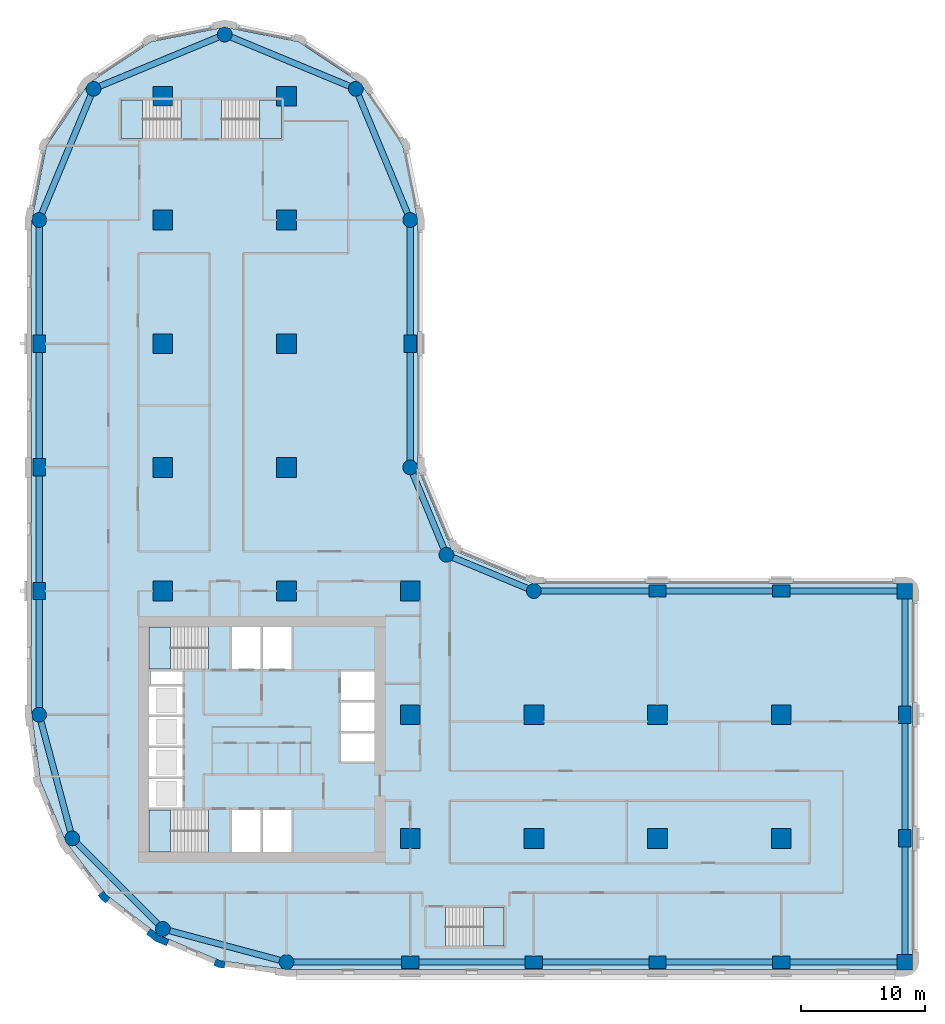
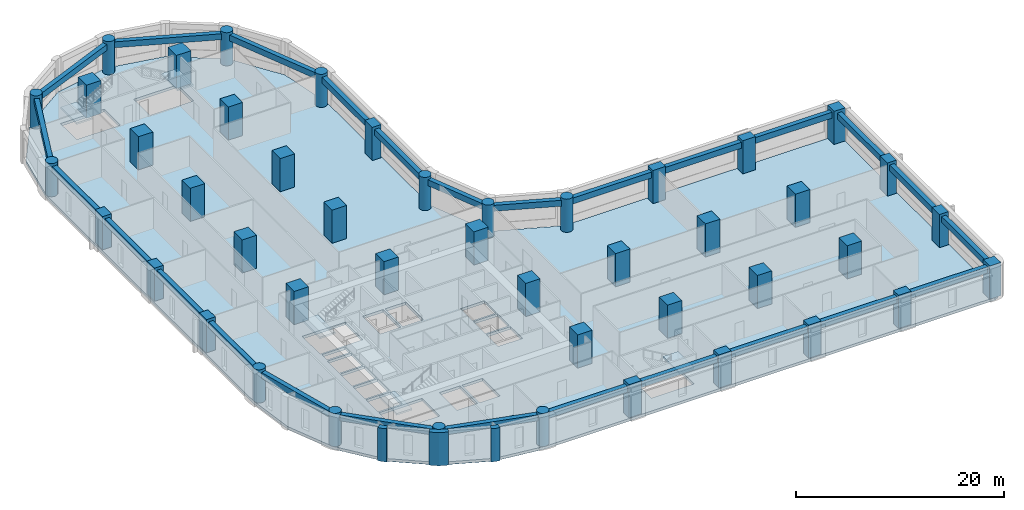
# One storey, part 1 of 11: 45 columns, 26 beams, 6 slabs, 3 walls, 5 elements without a shape of their own.
"""IFC4 building model written with IfcOpenShell, lengths in metres."""

import ifcopenshell
import ifcopenshell.guid

model = None  # the IFC model being written
_history = None  # IfcOwnerHistory: only IFC2X3 demands one
_inside = {}  # id of a spatial element -> (the spatial element, [elements in it])
_under = {}  # id of a project, library or spatial element -> (it, [spatial elements below it])
_declared = {}  # id of a project -> (the project, [libraries it declares])
_typed = {}  # id of a type object -> (the type object, [elements of that type])
_made_of = {}  # id of a material, layer set ... -> (it, [elements and type objects made of it])


def new_model(schema):
    """Start an empty IFC model of exactly this schema.

    Asked for "IFC4X3", IfcOpenShell would pick the latest addendum, in which some entities
    have other attributes; the version numbers below select the first issue.
    IFC2X3 requires an IfcOwnerHistory on every rooted entity: one is made here for all.
    """
    global model, _history
    if schema == "IFC4X3":
        model = ifcopenshell.file(schema_version=(4, 3, 0, 0))
    else:
        model = ifcopenshell.file(schema=schema)
    _inside.clear()
    _under.clear()
    _declared.clear()
    _typed.clear()
    _made_of.clear()
    _history = None
    if model.schema == "IFC2X3":
        org = make("IfcOrganization", Name="unknown")
        user = make(
            "IfcPersonAndOrganization",
            ThePerson=make("IfcPerson", FamilyName="unknown"),
            TheOrganization=org,
        )
        app = make(
            "IfcApplication",
            ApplicationDeveloper=org,
            Version="unknown",
            ApplicationFullName="unknown",
            ApplicationIdentifier="unknown",
        )
        _history = make(
            "IfcOwnerHistory",
            OwningUser=user,
            OwningApplication=app,
            ChangeAction="ADDED",
            CreationDate=0,
        )
    return model


def make(cls, **values):
    """One entity of the class cls with the attributes given. An attribute that is None is left unset."""
    return model.create_entity(
        cls, **{name: value for name, value in values.items() if value is not None}
    )


def rooted(cls, **values):
    """An entity with a GlobalId (a new one), such as an element, a storey or a relation."""
    return make(cls, GlobalId=ifcopenshell.guid.new(), OwnerHistory=_history, **values)


def si_unit(unit_type, name, prefix=None):
    """IfcSIUnit, for example si_unit("LENGTHUNIT", "METRE", prefix="MILLI")."""
    return make("IfcSIUnit", UnitType=unit_type, Prefix=prefix, Name=name)


def assignment(units):
    """IfcUnitAssignment: the units of a project."""
    return None if units is None else make("IfcUnitAssignment", Units=units)


def point(xyz):
    """IfcCartesianPoint."""
    return None if xyz is None else make("IfcCartesianPoint", Coordinates=xyz)


def direction(xyz):
    """IfcDirection."""
    return None if xyz is None else make("IfcDirection", DirectionRatios=xyz)


def frame(location, z_axis=None, x_axis=None):
    """IfcAxis2Placement3D, a coordinate frame: its origin and axes. An axis left out is left unset."""
    return make(
        "IfcAxis2Placement3D",
        Location=point(location),
        Axis=direction(z_axis),
        RefDirection=direction(x_axis),
    )


def frame_2d(location, x_axis=None):
    """IfcAxis2Placement2D, a coordinate frame in the plane: its origin and x axis."""
    return make(
        "IfcAxis2Placement2D", Location=point(location), RefDirection=direction(x_axis)
    )


def origin():
    """The frame at (0, 0, 0) with its axes left unset."""
    return frame((0.0, 0.0, 0.0))


def origin_2d():
    """The frame at (0, 0) in the plane with its x axis left unset."""
    return frame_2d((0.0, 0.0))


def place(relative_to, where):
    """IfcLocalPlacement: puts the frame where relative to a parent placement (None: the world)."""
    return make(
        "IfcLocalPlacement", PlacementRelTo=relative_to, RelativePlacement=where
    )


def context(
    kind, dimensions, precision=None, world=None, true_north=None, identifier=None
):
    """IfcGeometricRepresentationContext, for example the 3D "Model" context."""
    return make(
        "IfcGeometricRepresentationContext",
        ContextIdentifier=identifier,
        ContextType=kind,
        CoordinateSpaceDimension=dimensions,
        Precision=precision,
        WorldCoordinateSystem=world,
        TrueNorth=true_north,
    )


def subcontext(parent, identifier, kind, view, scale=None):
    """IfcGeometricRepresentationSubContext, for example "Body" below "Model"."""
    return make(
        "IfcGeometricRepresentationSubContext",
        ContextIdentifier=identifier,
        ContextType=kind,
        ParentContext=parent,
        TargetScale=scale,
        TargetView=view,
    )


def project(units=None, contexts=None):
    """IfcProject with its units and contexts."""
    return rooted(
        "IfcProject",
        Name="project",
        RepresentationContexts=contexts,
        UnitsInContext=assignment(units),
    )


def spatial(cls, under=None, at=None, **own):
    """A site, building, storey or space (cls), placed at a placement, below another one or the project."""
    s = rooted(cls, ObjectPlacement=at, **own)
    if under is not None:
        _under.setdefault(under.id(), (under, []))[1].append(s)
    return s


def polyline(points):
    """IfcPolyline through the points."""
    return make("IfcPolyline", Points=[point(p) for p in points])


def profile(cls, at=None, kind="AREA", **sizes):
    """A parametric profile (cls). Its sizes go by their IFC names, for example OverallWidth=200.0."""
    return make(cls, ProfileType=kind, Position=at, **sizes)


def rectangle(**sizes):
    """IfcRectangleProfileDef."""
    return profile("IfcRectangleProfileDef", **sizes)


def circle(**sizes):
    """IfcCircleProfileDef."""
    return profile("IfcCircleProfileDef", **sizes)


def outline(outer, holes=None, kind="AREA"):
    """IfcArbitraryClosedProfileDef: a profile drawn as a closed curve; with holes, ...WithVoids."""
    if holes is None:
        return make("IfcArbitraryClosedProfileDef", ProfileType=kind, OuterCurve=outer)
    return make(
        "IfcArbitraryProfileDefWithVoids",
        ProfileType=kind,
        OuterCurve=outer,
        InnerCurves=holes,
    )


def extrude(swept, where, along, depth):
    """IfcExtrudedAreaSolid: the profile swept, set in the frame where, extruded along a direction by depth."""
    return make(
        "IfcExtrudedAreaSolid",
        SweptArea=swept,
        Position=where,
        ExtrudedDirection=direction(along),
        Depth=depth,
    )


def shape(context_of_items, identifier, shape_type, items):
    """IfcShapeRepresentation: the items that make up one representation, for example the "Body"."""
    return make(
        "IfcShapeRepresentation",
        ContextOfItems=context_of_items,
        RepresentationIdentifier=identifier,
        RepresentationType=shape_type,
        Items=items,
    )


def material(Name=None, Category=None):
    """IfcMaterial."""
    return make("IfcMaterial", Name=Name, Category=Category)


def layer(
    of_material, thickness, ventilated=None, Name=None, Category=None, Priority=None
):
    """IfcMaterialLayer: one layer of a wall or slab, of a material (None: an air gap)."""
    return make(
        "IfcMaterialLayer",
        Material=of_material,
        LayerThickness=thickness,
        IsVentilated=ventilated,
        Name=Name,
        Category=Category,
        Priority=Priority,
    )


def layer_set(layers, Name=None):
    """IfcMaterialLayerSet."""
    return make("IfcMaterialLayerSet", MaterialLayers=layers, LayerSetName=Name)


def material_profile(
    of_material, cross_section, Name=None, Category=None, Priority=None
):
    """IfcMaterialProfile: a cross section and its material."""
    return make(
        "IfcMaterialProfile",
        Name=Name,
        Material=of_material,
        Profile=cross_section,
        Priority=Priority,
        Category=Category,
    )


def profile_set(profiles, Name=None, composite=None):
    """IfcMaterialProfileSet."""
    return make(
        "IfcMaterialProfileSet",
        Name=Name,
        MaterialProfiles=profiles,
        CompositeProfile=composite,
    )


def made_of(thing, what):
    """Note that an element or type object is made of a material, layer set ...; save() writes the relation."""
    if what is not None:
        _made_of.setdefault(what.id(), (what, []))[1].append(thing)
    return thing


def type_object(cls, material=None, **own):
    """A type object (cls), such as IfcWallType, which elements share."""
    return made_of(rooted(cls, **own), material)


def element(
    cls,
    number,
    at=None,
    inside=None,
    cuts=None,
    type_object=None,
    material=None,
    context=None,
    identifier="Body",
    shape_type=None,
    held_by="IfcProductDefinitionShape",
    body=None,
    shapes=None,
    **own,
):
    """One element of the class cls, such as IfcWall. Its Tag is "e" and its number.

    at: its placement. inside: the storey or other place that contains it. cuts: it is an
    opening in that element (IfcRelVoidsElement). A single representation is given by context,
    identifier, shape_type and body (its items); several are given by shapes. held_by: the class
    of the entity that holds the representations. save() writes the other relations.
    """
    e = rooted(cls, Tag="e%d" % number, ObjectPlacement=at, **own)
    if body is not None:
        shapes = [shape(context, identifier, shape_type, body)]
    if shapes is not None:
        e.Representation = make(held_by, Representations=shapes)
    if inside is not None:
        _inside.setdefault(inside.id(), (inside, []))[1].append(e)
    if cuts is not None:
        rooted(
            "IfcRelVoidsElement", RelatingBuildingElement=cuts, RelatedOpeningElement=e
        )
    if type_object is not None:
        _typed.setdefault(type_object.id(), (type_object, []))[1].append(e)
    return made_of(e, material)


def aggregate(whole, parts):
    """IfcRelAggregates: a whole, such as a stair, and the parts it consists of."""
    return rooted("IfcRelAggregates", RelatingObject=whole, RelatedObjects=parts)


def save(model, path):
    """Write the relations noted so far, then the file.

    IfcRelAggregates (storeys below a building ...), IfcRelContainedInSpatialStructure (elements
    in a storey), IfcRelDefinesByType, IfcRelAssociatesMaterial and IfcRelDeclares: one each for
    every whole, place, type object, material and project.
    """
    for whole, parts in _under.values():
        aggregate(whole, parts)
    for where, things in _inside.values():
        rooted(
            "IfcRelContainedInSpatialStructure",
            RelatedElements=things,
            RelatingStructure=where,
        )
    for kind, things in _typed.values():
        rooted("IfcRelDefinesByType", RelatedObjects=things, RelatingType=kind)
    for what, things in _made_of.values():
        rooted("IfcRelAssociatesMaterial", RelatedObjects=things, RelatingMaterial=what)
    for by, libraries in _declared.values():
        rooted("IfcRelDeclares", RelatingContext=by, RelatedDefinitions=libraries)
    model.write(path)


model = new_model("IFC4")

# Units and contexts
model_context = context("Model", 3, precision=1e-05, world=origin(), true_north=direction((0.0, 1.0)))
body_context = subcontext(model_context, "Body", "Model", "MODEL_VIEW")
ifc_project = project(units=[si_unit("LENGTHUNIT", "METRE"), si_unit("AREAUNIT", "SQUARE_METRE"), si_unit("VOLUMEUNIT", "CUBIC_METRE"), si_unit("PLANEANGLEUNIT", "RADIAN"), si_unit("MASSUNIT", "GRAM", prefix="KILO")], contexts=[model_context])

# Site, building, storey
site_placement = place(None, origin())
site = spatial("IfcSite", under=ifc_project, at=site_placement, CompositionType="ELEMENT")
building_placement = place(site_placement, origin())
building = spatial("IfcBuilding", under=site, at=building_placement, Name="Qaws Garden Tower", CompositionType="ELEMENT")
storey_placement = place(building_placement, frame((0.0, 0.0, 27.60009765625)))
storey = spatial("IfcBuildingStorey", under=building, at=storey_placement, Name="L06", CompositionType="ELEMENT", Elevation=27.60009765625)

# Columns
ifc_material_1 = material(Name="Concrete C80", Category="concrete")
ifc_material_profile_1 = material_profile(ifc_material_1, rectangle(XDim=1.25, YDim=1.25, at=origin_2d()), Name="RC 1250x1250")
ifc_profile_set_1 = profile_set([ifc_material_profile_1], Name="Concrete C80")
column_type_1 = type_object("IfcColumnType", Name="Column RC 1250x1250 C80", PredefinedType="COLUMN", material=ifc_profile_set_1)
for number, where, z_axis, x_axis, name in (
    (1, (70.0, 0.0, 0.0), (0.0, 0.0, 1.0), (1.0, 0.0, 0.0), "Column L06-006"),
    (2, (70.0, 30.0, 0.0), (0.0, 0.0, 1.0), (1.0, 0.0, 0.0), "Column L06-009"),
):
    element("IfcColumn", number, at=place(storey_placement, frame(where, z_axis=z_axis, x_axis=x_axis)), inside=storey, type_object=column_type_1, Name=name, PredefinedType="COLUMN", context=body_context, shape_type="SweptSolid", body=[
        extrude(rectangle(XDim=1.25, YDim=1.25, at=origin_2d()), origin(), (0.0, 0.0, 1.0), 3.89990234375),
    ])
ifc_material_2 = material(Name="Concrete C80", Category="concrete")
ifc_material_profile_2 = material_profile(ifc_material_2, rectangle(XDim=1.39990234375, YDim=1.0, at=origin_2d()), Name="RC 1400x1000")
ifc_profile_set_2 = profile_set([ifc_material_profile_2], Name="Concrete C80")
column_type_2 = type_object("IfcColumnType", Name="Column RC 1400x1000 C80", PredefinedType="COLUMN", material=ifc_profile_set_2)
for number, where, z_axis, x_axis, name in (
    (3, (30.0, 0.0, 0.0), (0.0, 0.0, 1.0), (1.0, 0.0, 0.0), "Column L06-002"),
    (4, (40.0, 0.0, 0.0), (0.0, 0.0, 1.0), (1.0, 0.0, 0.0), "Column L06-003"),
    (5, (50.0, 0.0, 0.0), (0.0, 0.0, 1.0), (1.0, 0.0, 0.0), "Column L06-004"),
    (6, (60.0, 0.0, 0.0), (0.0, 0.0, 1.0), (1.0, 0.0, 0.0), "Column L06-005"),
    (7, (70.0, 10.0, 0.0), (0.0, 0.0, 1.0), (0.0, 1.0, 0.0), "Column L06-007"),
    (8, (70.0, 20.0, 0.0), (0.0, 0.0, 1.0), (0.0, 1.0, 0.0), "Column L06-008"),
    (9, (60.0, 30.0, 0.0), (0.0, 0.0, 1.0), (1.0, 0.0, 0.0), "Column L06-010"),
    (10, (50.0, 30.0, 0.0), (0.0, 0.0, 1.0), (1.0, 0.0, 0.0), "Column L06-011"),
    (11, (30.0, 50.0, 0.0), (0.0, 0.0, 1.0), (0.0, 1.0, 0.0), "Column L06-015"),
    (12, (0.0, 50.0, 0.0), (0.0, 0.0, 1.0), (0.0, 1.0, 0.0), "Column L06-021"),
    (13, (0.0, 40.0, 0.0), (0.0, 0.0, 1.0), (0.0, 1.0, 0.0), "Column L06-022"),
    (14, (0.0, 30.0, 0.0), (0.0, 0.0, 1.0), (0.0, 1.0, 0.0), "Column L06-023"),
):
    element("IfcColumn", number, at=place(storey_placement, frame(where, z_axis=z_axis, x_axis=x_axis)), inside=storey, type_object=column_type_2, Name=name, PredefinedType="COLUMN", context=body_context, shape_type="SweptSolid", body=[
        extrude(rectangle(XDim=1.39990234375, YDim=1.0, at=origin_2d()), origin(), (0.0, 0.0, 1.0), 3.89990234375),
    ])
ifc_material_3 = material(Name="Concrete C80", Category="concrete")
ifc_material_profile_3 = material_profile(ifc_material_3, rectangle(XDim=1.60009765625, YDim=1.60009765625, at=origin_2d()), Name="RC 1600x1600")
ifc_profile_set_3 = profile_set([ifc_material_profile_3], Name="Concrete C80")
column_type_3 = type_object("IfcColumnType", Name="Column RC 1600x1600 C80", PredefinedType="COLUMN", material=ifc_profile_set_3)
for number, where, z_axis, x_axis, name in (
    (15, (10.0, 30.0, 0.0), (0.0, 0.0, 1.0), (1.0, 0.0, 0.0), "Column L06-027"),
    (16, (10.0, 40.0, 0.0), (0.0, 0.0, 1.0), (1.0, 0.0, 0.0), "Column L06-028"),
    (17, (10.0, 50.0, 0.0), (0.0, 0.0, 1.0), (1.0, 0.0, 0.0), "Column L06-029"),
    (18, (10.0, 60.0, 0.0), (0.0, 0.0, 1.0), (1.0, 0.0, 0.0), "Column L06-030"),
    (19, (10.0, 70.0, 0.0), (0.0, 0.0, 1.0), (1.0, 0.0, 0.0), "Column L06-031"),
    (20, (20.0, 30.0, 0.0), (0.0, 0.0, 1.0), (1.0, 0.0, 0.0), "Column L06-032"),
    (21, (20.0, 40.0, 0.0), (0.0, 0.0, 1.0), (1.0, 0.0, 0.0), "Column L06-033"),
    (22, (20.0, 50.0, 0.0), (0.0, 0.0, 1.0), (1.0, 0.0, 0.0), "Column L06-034"),
    (23, (20.0, 60.0, 0.0), (0.0, 0.0, 1.0), (1.0, 0.0, 0.0), "Column L06-035"),
    (24, (20.0, 70.0, 0.0), (0.0, 0.0, 1.0), (1.0, 0.0, 0.0), "Column L06-036"),
    (25, (30.0, 10.0, 0.0), (0.0, 0.0, 1.0), (1.0, 0.0, 0.0), "Column L06-037"),
    (26, (30.0, 20.0, 0.0), (0.0, 0.0, 1.0), (1.0, 0.0, 0.0), "Column L06-038"),
    (27, (30.0, 30.0, 0.0), (0.0, 0.0, 1.0), (1.0, 0.0, 0.0), "Column L06-039"),
    (28, (40.0, 10.0, 0.0), (0.0, 0.0, 1.0), (1.0, 0.0, 0.0), "Column L06-040"),
    (29, (40.0, 20.0, 0.0), (0.0, 0.0, 1.0), (1.0, 0.0, 0.0), "Column L06-041"),
    (30, (50.0, 10.0, 0.0), (0.0, 0.0, 1.0), (1.0, 0.0, 0.0), "Column L06-042"),
    (31, (50.0, 20.0, 0.0), (0.0, 0.0, 1.0), (1.0, 0.0, 0.0), "Column L06-043"),
    (32, (60.0, 10.0, 0.0), (0.0, 0.0, 1.0), (1.0, 0.0, 0.0), "Column L06-044"),
    (33, (60.0, 20.0, 0.0), (0.0, 0.0, 1.0), (1.0, 0.0, 0.0), "Column L06-045"),
):
    element("IfcColumn", number, at=place(storey_placement, frame(where, z_axis=z_axis, x_axis=x_axis)), inside=storey, type_object=column_type_3, Name=name, PredefinedType="COLUMN", context=body_context, shape_type="SweptSolid", body=[
        extrude(rectangle(XDim=1.60009765625, YDim=1.60009765625, at=origin_2d()), origin(), (0.0, 0.0, 1.0), 3.89990234375),
    ])
ifc_material_4 = material(Name="Concrete C80", Category="concrete")
ifc_material_profile_4 = material_profile(ifc_material_4, circle(Radius=0.60009765625, at=origin_2d()), Name="RC D1200")
ifc_profile_set_4 = profile_set([ifc_material_profile_4], Name="Concrete C80")
column_type_4 = type_object("IfcColumnType", Name="Column RC D1200 C80", PredefinedType="COLUMN", material=ifc_profile_set_4)
for number, where, z_axis, x_axis, name in (
    (34, (20.0, 0.0, 0.0), (0.0, 0.0, 1.0), (1.0, 0.0, 0.0), "Column L06-001"),
    (35, (40.0, 30.0, 0.0), (0.0, 0.0, 1.0), (1.0, 0.0, 0.0), "Column L06-012"),
    (36, (32.928955078125, 32.928955078125, 0.0), (0.0, 0.0, 1.0), (1.0, 0.0, 0.0), "Column L06-013"),
    (37, (30.0, 40.0, 0.0), (0.0, 0.0, 1.0), (1.0, 0.0, 0.0), "Column L06-014"),
    (38, (30.0, 60.0, 0.0), (0.0, 0.0, 1.0), (1.0, 0.0, 0.0), "Column L06-016"),
    (39, (25.606689453125, 70.606689453125, 0.0), (0.0, 0.0, 1.0), (1.0, 0.0, 0.0), "Column L06-017"),
    (40, (15.0, 75.0, 0.0), (0.0, 0.0, 1.0), (1.0, 0.0, 0.0), "Column L06-018"),
    (41, (4.393310546875, 70.606689453125, 0.0), (0.0, 0.0, 1.0), (1.0, 0.0, 0.0), "Column L06-019"),
    (42, (0.0, 60.0, 0.0), (0.0, 0.0, 1.0), (1.0, 0.0, 0.0), "Column L06-020"),
    (43, (0.0, 20.0, 0.0), (0.0, 0.0, 1.0), (1.0, 0.0, 0.0), "Column L06-024"),
    (44, (2.679443359375, 10.0, 0.0), (0.0, 0.0, 1.0), (1.0, 0.0, 0.0), "Column L06-025"),
    (45, (10.0, 2.679443359375, 0.0), (0.0, 0.0, 1.0), (1.0, 0.0, 0.0), "Column L06-026"),
):
    element("IfcColumn", number, at=place(storey_placement, frame(where, z_axis=z_axis, x_axis=x_axis)), inside=storey, type_object=column_type_4, Name=name, PredefinedType="COLUMN", context=body_context, shape_type="SweptSolid", body=[
        extrude(circle(Radius=0.60009765625, at=origin_2d()), origin(), (0.0, 0.0, 1.0), 3.89990234375),
    ])

# Beams
ifc_material_5 = material(Name="Concrete C45", Category="concrete")
ifc_material_profile_5 = material_profile(ifc_material_5, rectangle(XDim=0.5, YDim=0.699951171875, at=origin_2d()), Name="RC 500x700")
ifc_profile_set_5 = profile_set([ifc_material_profile_5], Name="Concrete C45")
beam_type = type_object("IfcBeamType", Name="Spandrel beam RC 500x700 C45", PredefinedType="SPANDREL", material=ifc_profile_set_5)
for number, where, z_axis, x_axis, name in (
    (46, (20.0, 0.0, 3.22998046875), (1.0, 0.0, 0.0), (0.0, 1.0, 0.0), "Spandrel beam L06-001"),
    (47, (30.0, 0.0, 3.22998046875), (1.0, 0.0, 0.0), (0.0, 1.0, 0.0), "Spandrel beam L06-002"),
    (48, (40.0, 0.0, 3.22998046875), (1.0, 0.0, 0.0), (0.0, 1.0, 0.0), "Spandrel beam L06-003"),
    (49, (50.0, 0.0, 3.22998046875), (1.0, 0.0, 0.0), (0.0, 1.0, 0.0), "Spandrel beam L06-004"),
    (50, (60.0, 0.0, 3.22998046875), (1.0, 0.0, 0.0), (0.0, 1.0, 0.0), "Spandrel beam L06-005"),
    (51, (70.0, 0.0, 3.22998046875), (0.0, 1.0, 0.0), (-1.0, 0.0, 0.0), "Spandrel beam L06-006"),
    (52, (70.0, 10.0, 3.22998046875), (0.0, 1.0, 0.0), (-1.0, 0.0, 0.0), "Spandrel beam L06-007"),
    (53, (70.0, 20.0, 3.22998046875), (0.0, 1.0, 0.0), (-1.0, 0.0, 0.0), "Spandrel beam L06-008"),
    (54, (70.0, 30.0, 3.22998046875), (-1.0, 0.0, 0.0), (0.0, -1.0, 0.0), "Spandrel beam L06-009"),
    (55, (60.0, 30.0, 3.22998046875), (-1.0, 0.0, 0.0), (0.0, -1.0, 0.0), "Spandrel beam L06-010"),
    (56, (50.0, 30.0, 3.22998046875), (-1.0, 0.0, 0.0), (0.0, -1.0, 0.0), "Spandrel beam L06-011"),
):
    element("IfcBeam", number, at=place(storey_placement, frame(where, z_axis=z_axis, x_axis=x_axis)), inside=storey, type_object=beam_type, Name=name, PredefinedType="SPANDREL", context=body_context, shape_type="SweptSolid", body=[
        extrude(rectangle(XDim=0.5, YDim=0.699951171875, at=origin_2d()), origin(), (0.0, 0.0, 1.0), 10.0),
    ])
for number, where, z_axis, x_axis, name in (
    (57, (40.0, 30.0, 3.22998046875), (-0.923878037141, 0.382687042488, 0.0), (-0.382687042488, -0.923878037141, 0.0), "Spandrel beam L06-012"),
    (58, (32.928955078125, 32.928955078125, 3.22998046875), (-0.382687042488, 0.923878037141, 0.0), (-0.923878037141, -0.382687042488, 0.0), "Spandrel beam L06-013"),
):
    element("IfcBeam", number, at=place(storey_placement, frame(where, z_axis=z_axis, x_axis=x_axis)), inside=storey, type_object=beam_type, Name=name, PredefinedType="SPANDREL", context=body_context, shape_type="SweptSolid", body=[
        extrude(rectangle(XDim=0.5, YDim=0.699951171875, at=origin_2d()), origin(), (0.0, 0.0, 1.0), 7.653564453125),
    ])
for number, where, z_axis, x_axis, name in (
    (59, (30.0, 40.0, 3.22998046875), (0.0, 1.0, 0.0), (-1.0, 0.0, 0.0), "Spandrel beam L06-014"),
    (60, (30.0, 50.0, 3.22998046875), (0.0, 1.0, 0.0), (-1.0, 0.0, 0.0), "Spandrel beam L06-015"),
):
    element("IfcBeam", number, at=place(storey_placement, frame(where, z_axis=z_axis, x_axis=x_axis)), inside=storey, type_object=beam_type, Name=name, PredefinedType="SPANDREL", context=body_context, shape_type="SweptSolid", body=[
        extrude(rectangle(XDim=0.5, YDim=0.699951171875, at=origin_2d()), origin(), (0.0, 0.0, 1.0), 10.0),
    ])
for number, where, z_axis, x_axis, name in (
    (61, (30.0, 60.0, 3.22998046875), (-0.382674207535, 0.923883353507, 0.0), (-0.923883353507, -0.382674207535, 0.0), "Spandrel beam L06-016"),
    (62, (25.606689453125, 70.606689453125, 3.22998046875), (-0.923883353507, 0.382674207535, 0.0), (-0.382674207535, -0.923883353507, 0.0), "Spandrel beam L06-017"),
    (63, (15.0, 75.0, 3.22998046875), (-0.923883353507, -0.382674207535, 0.0), (0.382674207535, -0.923883353507, 0.0), "Spandrel beam L06-018"),
    (64, (4.393310546875, 70.606689453125, 3.22998046875), (-0.382674207535, -0.923883353507, 0.0), (0.923883353507, -0.382674207535, 0.0), "Spandrel beam L06-019"),
):
    element("IfcBeam", number, at=place(storey_placement, frame(where, z_axis=z_axis, x_axis=x_axis)), inside=storey, type_object=beam_type, Name=name, PredefinedType="SPANDREL", context=body_context, shape_type="SweptSolid", body=[
        extrude(rectangle(XDim=0.5, YDim=0.699951171875, at=origin_2d()), origin(), (0.0, 0.0, 1.0), 11.48046875),
    ])
for number, where, z_axis, x_axis, name in (
    (65, (0.0, 60.0, 3.22998046875), (0.0, -1.0, 0.0), (1.0, 0.0, 0.0), "Spandrel beam L06-020"),
    (66, (0.0, 50.0, 3.22998046875), (0.0, -1.0, 0.0), (1.0, 0.0, 0.0), "Spandrel beam L06-021"),
    (67, (0.0, 40.0, 3.22998046875), (0.0, -1.0, 0.0), (1.0, 0.0, 0.0), "Spandrel beam L06-022"),
    (68, (0.0, 30.0, 3.22998046875), (0.0, -1.0, 0.0), (1.0, 0.0, 0.0), "Spandrel beam L06-023"),
):
    element("IfcBeam", number, at=place(storey_placement, frame(where, z_axis=z_axis, x_axis=x_axis)), inside=storey, type_object=beam_type, Name=name, PredefinedType="SPANDREL", context=body_context, shape_type="SweptSolid", body=[
        extrude(rectangle(XDim=0.5, YDim=0.699951171875, at=origin_2d()), origin(), (0.0, 0.0, 1.0), 10.0),
    ])
for number, where, z_axis, x_axis, name in (
    (69, (0.0, 20.0, 3.22998046875), (0.25881466832, -0.965926999034, 0.0), (0.965926999034, 0.25881466832, 0.0), "Spandrel beam L06-024"),
    (70, (2.679443359375, 10.0, 3.22998046875), (0.707106781187, -0.707106781187, 0.0), (0.707106781187, 0.707106781187, 0.0), "Spandrel beam L06-025"),
    (71, (10.0, 2.679443359375, 3.22998046875), (0.965926999034, -0.25881466832, 0.0), (0.25881466832, 0.965926999034, 0.0), "Spandrel beam L06-026"),
):
    element("IfcBeam", number, at=place(storey_placement, frame(where, z_axis=z_axis, x_axis=x_axis)), inside=storey, type_object=beam_type, Name=name, PredefinedType="SPANDREL", context=body_context, shape_type="SweptSolid", body=[
        extrude(rectangle(XDim=0.5, YDim=0.699951171875, at=origin_2d()), origin(), (0.0, 0.0, 1.0), 10.352783203125),
    ])

# Slab
ifc_material_6 = material(Name="Concrete C40", Category="concrete")
ifc_layer_1 = layer(ifc_material_6, 0.320068359375)
ifc_layer_set_1 = layer_set([ifc_layer_1], Name="Concrete C40")
slab_type_1 = type_object("IfcSlabType", Name="Floor slab 320 C40", PredefinedType="FLOOR", material=ifc_layer_set_1)
slab_1_placement = place(storey_placement, frame((0.0, 0.0, -0.320068359375)))
element("IfcSlab", 72, at=slab_1_placement, inside=storey, type_object=slab_type_1, Name="Floor slab L06", PredefinedType="FLOOR", context=body_context, shape_type="SweptSolid", body=[
    extrude(outline(polyline([(0.101806640625, 14.668212890625), (-0.60009765625, 20.0), (-0.60009765625, 30.60009765625), (-0.60009765625, 60.0), (-0.60009765625, 60.0), (0.58740234375, 65.969970703125), (3.968994140625, 71.031005859375), (9.030029296875, 74.41259765625), (15.0, 75.60009765625), (20.969970703125, 74.41259765625), (26.031005859375, 71.031005859375), (29.41259765625, 65.969970703125), (30.60009765625, 60.0), (30.60009765625, 40.0), (33.353271484375, 33.353271484375), (40.0, 30.60009765625), (70.0, 30.60009765625), (70.42431640625, 30.42431640625), (70.60009765625, 30.0), (70.60009765625, 0.0), (70.42431640625, -0.42431640625), (70.0, -0.60009765625), (30.60009765625, -0.60009765625), (20.0, -0.60009765625), (14.668212890625, 0.101806640625), (9.699951171875, 2.159912109375), (5.43359375, 5.43359375), (2.159912109375, 9.699951171875), (0.101806640625, 14.668212890625)]), holes=[polyline([(13.699462890625, 12.300048828125), (8.89990234375, 12.300048828125), (8.89990234375, 8.89990234375), (13.699462890625, 8.89990234375), (13.699462890625, 12.300048828125)]), polyline([(17.89990234375, 12.300048828125), (15.60009765625, 12.300048828125), (15.60009765625, 8.89990234375), (17.89990234375, 8.89990234375), (17.89990234375, 12.300048828125)]), polyline([(11.60009765625, 14.800048828125), (8.89990234375, 14.800048828125), (8.89990234375, 12.5), (11.60009765625, 12.5), (11.60009765625, 14.800048828125)]), polyline([(11.60009765625, 17.300048828125), (8.89990234375, 17.300048828125), (8.89990234375, 15.0), (11.60009765625, 15.0), (11.60009765625, 17.300048828125)]), polyline([(11.60009765625, 19.800048828125), (8.89990234375, 19.800048828125), (8.89990234375, 17.5), (11.60009765625, 17.5), (11.60009765625, 19.800048828125)]), polyline([(11.60009765625, 22.300048828125), (8.89990234375, 22.300048828125), (8.89990234375, 20.0), (11.60009765625, 20.0), (11.60009765625, 22.300048828125)]), polyline([(11.60009765625, 23.5), (9.0, 23.5), (9.0, 22.5), (11.60009765625, 22.5), (11.60009765625, 23.5)]), polyline([(13.699462890625, 27.10009765625), (8.89990234375, 27.10009765625), (8.89990234375, 23.699951171875), (13.699462890625, 23.699951171875), (13.699462890625, 27.10009765625)]), polyline([(11.449462890625, 69.699951171875), (6.60009765625, 69.699951171875), (6.60009765625, 66.60009765625), (11.449462890625, 66.60009765625), (11.449462890625, 69.699951171875)]), polyline([(37.60009765625, 4.39990234375), (32.8505859375, 4.39990234375), (32.8505859375, 1.300048828125), (37.60009765625, 1.300048828125), (37.60009765625, 4.39990234375)]), polyline([(20.39990234375, 12.300048828125), (18.10009765625, 12.300048828125), (18.10009765625, 8.89990234375), (20.39990234375, 8.89990234375), (20.39990234375, 12.300048828125)]), polyline([(27.10009765625, 18.5), (24.39990234375, 18.5), (24.39990234375, 16.199951171875), (27.10009765625, 16.199951171875), (27.10009765625, 18.5)]), polyline([(27.10009765625, 21.0), (24.39990234375, 21.0), (24.39990234375, 18.699951171875), (27.10009765625, 18.699951171875), (27.10009765625, 21.0)]), polyline([(27.10009765625, 23.5), (24.39990234375, 23.5), (24.39990234375, 21.199951171875), (27.10009765625, 21.199951171875), (27.10009765625, 23.5)]), polyline([(17.89990234375, 27.10009765625), (15.60009765625, 27.10009765625), (15.60009765625, 23.699951171875), (17.89990234375, 23.699951171875), (17.89990234375, 27.10009765625)]), polyline([(20.39990234375, 23.699951171875), (20.39990234375, 27.10009765625), (18.10009765625, 27.10009765625), (18.10009765625, 23.699951171875), (20.39990234375, 23.699951171875)]), polyline([(19.60009765625, 66.60009765625), (19.60009765625, 69.699951171875), (14.75048828125, 69.699951171875), (14.75048828125, 66.60009765625), (19.60009765625, 66.60009765625)])]), origin(), (0.0, 0.0, 1.0), 0.320068359375),
])

# Stair, slab
ifc_material_7 = material(Name="Concrete C40", Category="concrete")
stair_type_1 = type_object("IfcStairType", Name="Exit stair 1500", PredefinedType="HALF_TURN_STAIR", material=ifc_material_7)
placement_1 = place(storey_placement, origin())
stair_1 = element("IfcStair", 73, at=placement_1, inside=storey, type_object=stair_type_1, Name="Stair 1", PredefinedType="HALF_TURN_STAIR")
ifc_material_8 = material(Name="Concrete C40", Category="concrete")
ifc_layer_2 = layer(ifc_material_8, 0.199951171875)
ifc_layer_set_2 = layer_set([ifc_layer_2], Name="Concrete C40")
slab_type_2 = type_object("IfcSlabType", Name="Stair landing 200", PredefinedType="LANDING", material=ifc_layer_set_2)
placement_2 = place(storey_placement, frame((0.0, 0.0, 1.75)))
slab_2 = element("IfcSlab", 74, at=placement_2, type_object=slab_type_2, Name="ST1 landing 1", PredefinedType="LANDING", context=body_context, shape_type="SweptSolid", body=[
    extrude(outline(polyline([(8.89990234375, 8.89990234375), (10.6201171875, 8.89990234375), (10.6201171875, 12.300048828125), (8.89990234375, 12.300048828125), (8.89990234375, 8.89990234375)])), origin(), (0.0, 0.0, 1.0), 0.199951171875),
])
aggregate(stair_1, [slab_2])

stair_2 = element("IfcStair", 75, at=placement_1, inside=storey, type_object=stair_type_1, Name="Stair 4", PredefinedType="HALF_TURN_STAIR")
slab_3 = element("IfcSlab", 76, at=placement_2, type_object=slab_type_2, Name="ST4 landing 1", PredefinedType="LANDING", context=body_context, shape_type="SweptSolid", body=[
    extrude(outline(polyline([(8.89990234375, 23.699951171875), (10.6201171875, 23.699951171875), (10.6201171875, 27.10009765625), (8.89990234375, 27.10009765625), (8.89990234375, 23.699951171875)])), origin(), (0.0, 0.0, 1.0), 0.199951171875),
])
aggregate(stair_2, [slab_3])

ifc_material_9 = material(Name="Concrete C40", Category="concrete")
stair_type_2 = type_object("IfcStairType", Name="Exit stair 1350", PredefinedType="HALF_TURN_STAIR", material=ifc_material_9)
stair_3 = element("IfcStair", 77, at=placement_1, inside=storey, type_object=stair_type_2, Name="Stair 5", PredefinedType="HALF_TURN_STAIR")
slab_4 = element("IfcSlab", 78, at=placement_2, type_object=slab_type_2, Name="ST5 landing 1", PredefinedType="LANDING", context=body_context, shape_type="SweptSolid", body=[
    extrude(outline(polyline([(35.929931640625, 1.300048828125), (37.60009765625, 1.300048828125), (37.60009765625, 4.39990234375), (35.929931640625, 4.39990234375), (35.929931640625, 1.300048828125)])), origin(), (0.0, 0.0, 1.0), 0.199951171875),
])
aggregate(stair_3, [slab_4])

stair_4 = element("IfcStair", 79, at=placement_1, inside=storey, type_object=stair_type_2, Name="Stair 6", PredefinedType="HALF_TURN_STAIR")
slab_5 = element("IfcSlab", 80, at=placement_2, type_object=slab_type_2, Name="ST6 landing 1", PredefinedType="LANDING", context=body_context, shape_type="SweptSolid", body=[
    extrude(outline(polyline([(6.60009765625, 66.60009765625), (8.3701171875, 66.60009765625), (8.3701171875, 69.699951171875), (6.60009765625, 69.699951171875), (6.60009765625, 66.60009765625)])), origin(), (0.0, 0.0, 1.0), 0.199951171875),
])
aggregate(stair_4, [slab_5])

stair_5 = element("IfcStair", 81, at=placement_1, inside=storey, type_object=stair_type_2, Name="Stair 7", PredefinedType="HALF_TURN_STAIR")
slab_6 = element("IfcSlab", 82, at=placement_2, type_object=slab_type_2, Name="ST7 landing 1", PredefinedType="LANDING", context=body_context, shape_type="SweptSolid", body=[
    extrude(outline(polyline([(17.830078125, 66.60009765625), (19.60009765625, 66.60009765625), (19.60009765625, 69.699951171875), (17.830078125, 69.699951171875), (17.830078125, 66.60009765625)])), origin(), (0.0, 0.0, 1.0), 0.199951171875),
])
aggregate(stair_5, [slab_6])

# Walls
ifc_material_10 = material(Name="Clay facing brick masonry", Category="masonry")
ifc_layer_3 = layer(ifc_material_10, 0.550048828125)
ifc_layer_set_3 = layer_set([ifc_layer_3], Name="Clay facing brick masonry")
wall_type_1 = type_object("IfcWallType", Name="Brick kink pier 550 x 600", PredefinedType="SOLIDWALL", material=ifc_layer_set_3)
element("IfcWall", 83, at=placement_1, inside=storey, type_object=wall_type_1, Name="E-L06-pier-30", PredefinedType="SOLIDWALL", context=body_context, shape_type="SweptSolid", body=[
    extrude(outline(polyline([(4.8818359375, 5.487060546875), (4.762939453125, 5.395751953125), (5.03759765625, 5.03759765625), (5.395751953125, 4.762939453125), (5.487060546875, 4.8818359375), (5.730712890625, 5.19921875), (5.429931640625, 5.429931640625), (5.19921875, 5.730712890625), (4.8818359375, 5.487060546875)])), origin(), (0.0, 0.0, 1.0), 3.89990234375),
])
element("IfcWall", 84, at=placement_1, inside=storey, type_object=wall_type_1, Name="E-L06-pier-32", PredefinedType="SOLIDWALL", context=body_context, shape_type="SweptSolid", body=[
    extrude(outline(polyline([(14.163818359375, -0.127685546875), (14.1064453125, -0.26611328125), (14.5234375, -0.43896484375), (14.970947265625, -0.497802734375), (14.990478515625, -0.34912109375), (15.042724609375, 0.04736328125), (14.6669921875, 0.096923828125), (14.31689453125, 0.241943359375), (14.163818359375, -0.127685546875)])), origin(), (0.0, 0.0, 1.0), 3.89990234375),
])
ifc_material_11 = material(Name="Clay facing brick masonry", Category="masonry")
ifc_layer_4 = layer(ifc_material_11, 0.550048828125)
ifc_layer_set_4 = layer_set([ifc_layer_4], Name="Clay facing brick masonry")
wall_type_2 = type_object("IfcWallType", Name="Brick pier 550 x 1600", PredefinedType="SOLIDWALL", material=ifc_layer_set_4)
element("IfcWall", 85, at=placement_1, inside=storey, type_object=wall_type_2, Name="E-L06-pier-31", PredefinedType="SOLIDWALL", context=body_context, shape_type="SweptSolid", body=[
    extrude(outline(polyline([(8.756591796875, 2.373046875), (8.665283203125, 2.254150390625), (9.419921875, 1.675048828125), (10.299072265625, 1.310791015625), (10.3564453125, 1.449462890625), (10.509521484375, 1.819091796875), (9.697509765625, 2.1552734375), (9.0, 2.6904296875), (8.756591796875, 2.373046875)])), origin(), (0.0, 0.0, 1.0), 3.89990234375),
])

save(model, "model.ifc")
